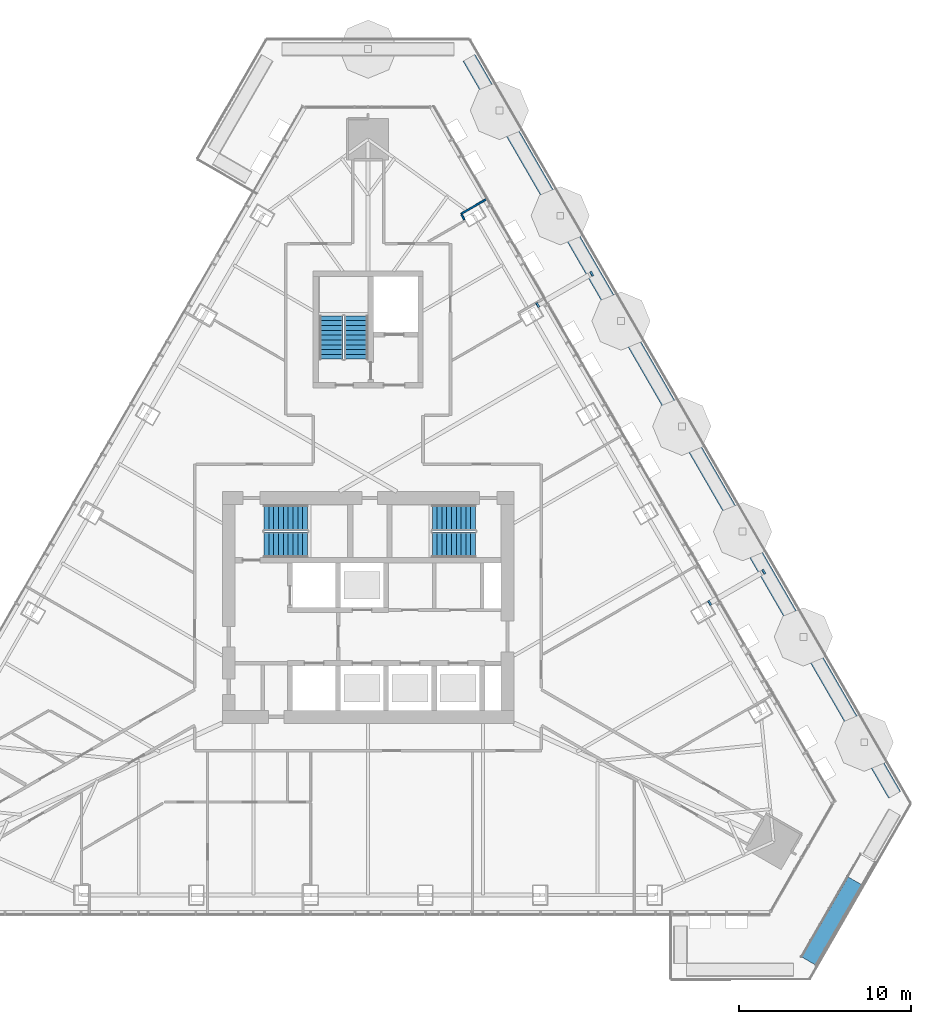
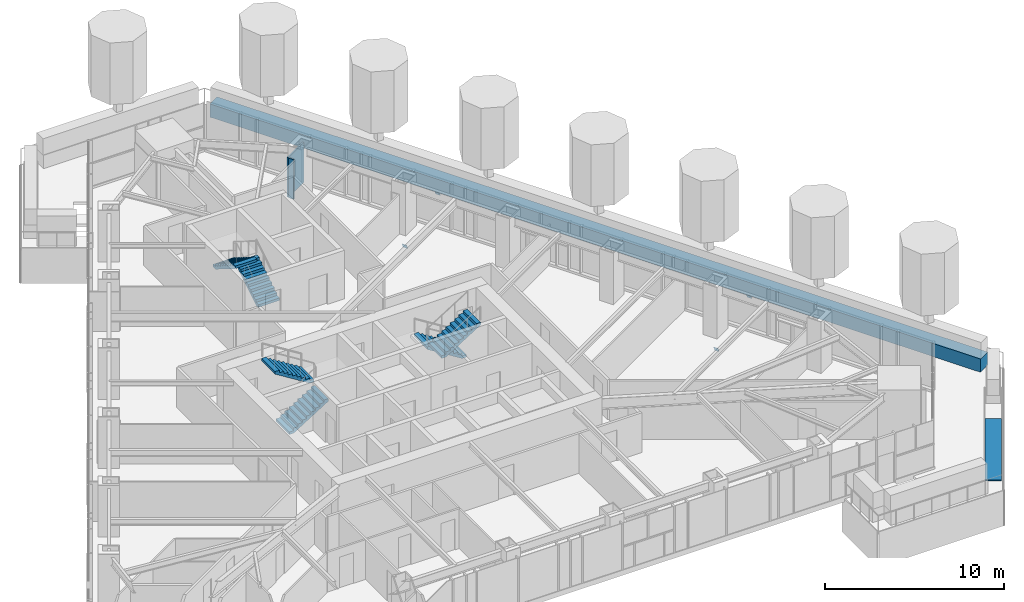
# One storey, part 21 of 24: 6 stair flights, 4 discrete accessories, 3 walls, 1 ramp flight, 4 elements without a shape of their own.
"""IFC4 building model written with IfcOpenShell, lengths in metres."""

from ifc_helpers import new_model, si_unit, direction, frame, frame_2d, origin, place, context, subcontext, project, spatial, polyline, rectangle, outline, extrude, material, layer, layer_set, type_object, element, aggregate, save


model = new_model("IFC4")

# Units and contexts
model_context = context("Model", 3, precision=1e-05, world=origin(), true_north=direction((0.0, 1.0)))
body_context = subcontext(model_context, "Body", "Model", "MODEL_VIEW")
ifc_project = project(units=[si_unit("LENGTHUNIT", "METRE"), si_unit("AREAUNIT", "SQUARE_METRE"), si_unit("VOLUMEUNIT", "CUBIC_METRE"), si_unit("PLANEANGLEUNIT", "RADIAN"), si_unit("MASSUNIT", "GRAM", prefix="KILO")], contexts=[model_context])

# Site, building, storey
site_placement = place(None, origin())
site = spatial("IfcSite", under=ifc_project, at=site_placement, CompositionType="ELEMENT")
building_placement = place(site_placement, origin())
building = spatial("IfcBuilding", under=site, at=building_placement, Name="Firuza Gate Tower and Library", CompositionType="ELEMENT")
storey_placement = place(building_placement, frame((0.0, 0.0, 267.10009765625)))
storey = spatial("IfcBuildingStorey", under=building, at=storey_placement, Name="L63", CompositionType="ELEMENT", Elevation=267.10009765625)

# Walls
ifc_material_1 = material(Name="Gypsum board partition")
ifc_layer_1 = layer(ifc_material_1, 0.10009765625)
ifc_layer_set_1 = layer_set([ifc_layer_1], Name="Partition 100 gypsum board on steel studs")
wall_type_1 = type_object("IfcWallType", Name="Partition 100 gypsum board on steel studs", PredefinedType="PARTITIONING", material=ifc_layer_set_1)
wall_1_placement = place(storey_placement, frame((80.41748046875, 97.939208984375, 0.0), z_axis=(0.0, 0.0, 1.0), x_axis=(0.866077946534, 0.499908982242, 0.0)))
element("IfcWall", 1, at=wall_1_placement, inside=storey, type_object=wall_type_1, Name="f:L63:w024", PredefinedType="PARTITIONING", context=body_context, shape_type="SweptSolid", body=[
    extrude(rectangle(XDim=1.699462890625, YDim=0.10009765625, at=frame_2d((0.849609375, 0.0))), origin(), (0.0, 0.0, 1.0), 2.699951171875),
])
wall_2_placement = place(storey_placement, frame((80.612548828125, 97.600830078125, 0.0), z_axis=(0.0, 0.0, 1.0), x_axis=(-0.499618727529, 0.866245419672, 0.0)))
element("IfcWall", 2, at=wall_2_placement, inside=storey, type_object=wall_type_1, Name="f:L63:w051", PredefinedType="PARTITIONING", context=body_context, shape_type="SweptSolid", body=[
    extrude(rectangle(XDim=0.339599609375, YDim=0.10009765625, at=frame_2d((0.169921875, 0.0))), origin(), (0.0, 0.0, 1.0), 2.699951171875),
])
ifc_material_2 = material(Name="Concrete C40/50", Category="concrete")
ifc_layer_2 = layer(ifc_material_2, 0.800048828125)
ifc_layer_set_2 = layer_set([ifc_layer_2], Name="Planter wall 800")
wall_type_2 = type_object("IfcWallType", Name="Planter wall 800", PredefinedType="SOLIDWALL", material=ifc_layer_set_2)
wall_3_placement = place(storey_placement, frame((105.681884765625, 64.0791015625, 0.0), z_axis=(0.0, 0.0, 1.0), x_axis=(-0.500001689899, 0.866024428119, 0.0)))
element("IfcWall", 3, at=wall_3_placement, inside=storey, type_object=wall_type_2, Name="PLANTER L63 4", PredefinedType="SOLIDWALL", context=body_context, shape_type="SweptSolid", body=[
    extrude(rectangle(XDim=49.597412109375, YDim=0.800048828125, at=frame_2d((24.798828125, 0.0))), origin(), (0.0, 0.0, 1.0), 0.89990234375),
])

# Stair, stair flights
ifc_material_3 = material(Name="Concrete C35/45", Category="concrete")
stair_type_1 = type_object("IfcStairType", Name="Exit stair ST17", PredefinedType="HALF_TURN_STAIR", material=ifc_material_3)
placement = place(storey_placement, origin())
stair_1 = element("IfcStair", 4, at=placement, inside=storey, type_object=stair_type_1, Name="L63 Stair ST3", PredefinedType="HALF_TURN_STAIR")
ifc_material_4 = material(Name="Concrete C35/45", Category="concrete")
stair_flight_type_1 = type_object("IfcStairFlightType", Name="Stair flight 10 risers 175 width 1370", PredefinedType="STRAIGHT", material=ifc_material_4)
stair_flight_1_placement = place(storey_placement, frame((74.31494140625, 89.469970703125, 0.0), z_axis=(0.0, 0.0, 1.0), x_axis=(0.0, 1.0, 0.0)))
stair_flight_1 = element("IfcStairFlight", 5, at=stair_flight_1_placement, type_object=stair_flight_type_1, Name="ST3 flight 1", NumberOfRisers=10, NumberOfTreads=9, PredefinedType="STRAIGHT", RiserHeight=0.175, TreadLength=0.28, context=body_context, shape_type="SweptSolid", body=[
    extrude(outline(polyline([(0.0, 0.0), (0.0, 0.175048828125), (0.280029296875, 0.175048828125), (0.280029296875, 0.35009765625), (0.56005859375, 0.35009765625), (0.56005859375, 0.52490234375), (0.840087890625, 0.52490234375), (0.840087890625, 0.699951171875), (1.1201171875, 0.699951171875), (1.1201171875, 0.875), (1.39990234375, 0.875), (1.39990234375, 1.050048828125), (1.679931640625, 1.050048828125), (1.679931640625, 1.22509765625), (1.9599609375, 1.22509765625), (1.9599609375, 1.39990234375), (2.239990234375, 1.39990234375), (2.239990234375, 1.574951171875), (2.52001953125, 1.574951171875), (2.52001953125, 1.75), (2.52001953125, 1.398193359375), (0.28271484375, 0.0), (0.0, 0.0)])), frame((0.0, 0.68505859375, 0.0), z_axis=(0.0, -1.0, 0.0), x_axis=(1.0, 0.0, 0.0)), (0.0, 0.0, 1.0), 1.3701171875),
])
stair_flight_2_placement = place(storey_placement, frame((72.844970703125, 91.989990234375, 1.75), z_axis=(0.0, 0.0, 1.0), x_axis=(0.0, -1.0, 0.0)))
stair_flight_2 = element("IfcStairFlight", 6, at=stair_flight_2_placement, type_object=stair_flight_type_1, Name="ST3 flight 2", NumberOfRisers=10, NumberOfTreads=9, PredefinedType="STRAIGHT", RiserHeight=0.175, TreadLength=0.28, context=body_context, shape_type="SweptSolid", body=[
    extrude(outline(polyline([(0.0, 0.0), (0.0, 0.175048828125), (0.280029296875, 0.175048828125), (0.280029296875, 0.35009765625), (0.56005859375, 0.35009765625), (0.56005859375, 0.52490234375), (0.840087890625, 0.52490234375), (0.840087890625, 0.699951171875), (1.1201171875, 0.699951171875), (1.1201171875, 0.875), (1.39990234375, 0.875), (1.39990234375, 1.050048828125), (1.679931640625, 1.050048828125), (1.679931640625, 1.22509765625), (1.9599609375, 1.22509765625), (1.9599609375, 1.39990234375), (2.239990234375, 1.39990234375), (2.239990234375, 1.574951171875), (2.52001953125, 1.574951171875), (2.52001953125, 1.75), (2.52001953125, 1.398193359375), (0.28271484375, 0.0), (0.0, 0.0)])), frame((0.0, 0.68505859375, 0.0), z_axis=(0.0, -1.0, 0.0), x_axis=(1.0, 0.0, 0.0)), (0.0, 0.0, 1.0), 1.3701171875),
])
aggregate(stair_1, [stair_flight_1, stair_flight_2])

ifc_material_5 = material(Name="Concrete C35/45", Category="concrete")
stair_type_2 = type_object("IfcStairType", Name="Exit stair ST8", PredefinedType="HALF_TURN_STAIR", material=ifc_material_5)
stair_2 = element("IfcStair", 7, at=placement, inside=storey, type_object=stair_type_2, Name="L63 Stair ST1", PredefinedType="HALF_TURN_STAIR")
ifc_material_6 = material(Name="Concrete C35/45", Category="concrete")
stair_flight_type_2 = type_object("IfcStairFlightType", Name="Stair flight 10 risers 175 width 1490", PredefinedType="STRAIGHT", material=ifc_material_6)
stair_flight_3_placement = place(storey_placement, frame((68.93994140625, 78.64501953125, 0.0), z_axis=(0.0, 0.0, 1.0), x_axis=(1.0, 0.0, 0.0)))
stair_flight_3 = element("IfcStairFlight", 8, at=stair_flight_3_placement, type_object=stair_flight_type_2, Name="ST1 flight 1", NumberOfRisers=10, NumberOfTreads=9, PredefinedType="STRAIGHT", RiserHeight=0.175, TreadLength=0.28, context=body_context, shape_type="SweptSolid", body=[
    extrude(outline(polyline([(0.0, 0.0), (0.0, 0.175048828125), (0.280029296875, 0.175048828125), (0.280029296875, 0.35009765625), (0.56005859375, 0.35009765625), (0.56005859375, 0.52490234375), (0.840087890625, 0.52490234375), (0.840087890625, 0.699951171875), (1.1201171875, 0.699951171875), (1.1201171875, 0.875), (1.39990234375, 0.875), (1.39990234375, 1.050048828125), (1.679931640625, 1.050048828125), (1.679931640625, 1.22509765625), (1.9599609375, 1.22509765625), (1.9599609375, 1.39990234375), (2.239990234375, 1.39990234375), (2.239990234375, 1.574951171875), (2.52001953125, 1.574951171875), (2.52001953125, 1.75), (2.52001953125, 1.398193359375), (0.28271484375, 0.0), (0.0, 0.0)])), frame((0.0, 0.7451171875, 0.0), z_axis=(0.0, -1.0, 0.0), x_axis=(1.0, 0.0, 0.0)), (0.0, 0.0, 1.0), 1.489990234375),
])
stair_flight_4_placement = place(storey_placement, frame((71.4599609375, 80.235107421875, 1.75), z_axis=(0.0, 0.0, 1.0), x_axis=(-1.0, 0.0, 0.0)))
stair_flight_4 = element("IfcStairFlight", 9, at=stair_flight_4_placement, type_object=stair_flight_type_2, Name="ST1 flight 2", NumberOfRisers=10, NumberOfTreads=9, PredefinedType="STRAIGHT", RiserHeight=0.175, TreadLength=0.28, context=body_context, shape_type="SweptSolid", body=[
    extrude(outline(polyline([(0.0, 0.0), (0.0, 0.175048828125), (0.280029296875, 0.175048828125), (0.280029296875, 0.35009765625), (0.56005859375, 0.35009765625), (0.56005859375, 0.52490234375), (0.840087890625, 0.52490234375), (0.840087890625, 0.699951171875), (1.1201171875, 0.699951171875), (1.1201171875, 0.875), (1.39990234375, 0.875), (1.39990234375, 1.050048828125), (1.679931640625, 1.050048828125), (1.679931640625, 1.22509765625), (1.9599609375, 1.22509765625), (1.9599609375, 1.39990234375), (2.239990234375, 1.39990234375), (2.239990234375, 1.574951171875), (2.52001953125, 1.574951171875), (2.52001953125, 1.75), (2.52001953125, 1.398193359375), (0.28271484375, 0.0), (0.0, 0.0)])), frame((0.0, 0.7451171875, 0.0), z_axis=(0.0, -1.0, 0.0), x_axis=(1.0, 0.0, 0.0)), (0.0, 0.0, 1.0), 1.489990234375),
])
aggregate(stair_2, [stair_flight_3, stair_flight_4])

stair_3 = element("IfcStair", 10, at=placement, inside=storey, type_object=stair_type_2, Name="L63 Stair ST2", PredefinedType="HALF_TURN_STAIR")
stair_flight_5_placement = place(storey_placement, frame((81.260009765625, 80.235107421875, 0.0), z_axis=(0.0, 0.0, 1.0), x_axis=(-1.0, 0.0, 0.0)))
stair_flight_5 = element("IfcStairFlight", 11, at=stair_flight_5_placement, type_object=stair_flight_type_2, Name="ST2 flight 1", NumberOfRisers=10, NumberOfTreads=9, PredefinedType="STRAIGHT", RiserHeight=0.175, TreadLength=0.28, context=body_context, shape_type="SweptSolid", body=[
    extrude(outline(polyline([(0.0, 0.0), (0.0, 0.175048828125), (0.280029296875, 0.175048828125), (0.280029296875, 0.35009765625), (0.56005859375, 0.35009765625), (0.56005859375, 0.52490234375), (0.840087890625, 0.52490234375), (0.840087890625, 0.699951171875), (1.1201171875, 0.699951171875), (1.1201171875, 0.875), (1.39990234375, 0.875), (1.39990234375, 1.050048828125), (1.679931640625, 1.050048828125), (1.679931640625, 1.22509765625), (1.9599609375, 1.22509765625), (1.9599609375, 1.39990234375), (2.239990234375, 1.39990234375), (2.239990234375, 1.574951171875), (2.52001953125, 1.574951171875), (2.52001953125, 1.75), (2.52001953125, 1.398193359375), (0.28271484375, 0.0), (0.0, 0.0)])), frame((0.0, 0.7451171875, 0.0), z_axis=(0.0, -1.0, 0.0), x_axis=(1.0, 0.0, 0.0)), (0.0, 0.0, 1.0), 1.489990234375),
])
stair_flight_6_placement = place(storey_placement, frame((78.739990234375, 78.64501953125, 1.75), z_axis=(0.0, 0.0, 1.0), x_axis=(1.0, 0.0, 0.0)))
stair_flight_6 = element("IfcStairFlight", 12, at=stair_flight_6_placement, type_object=stair_flight_type_2, Name="ST2 flight 2", NumberOfRisers=10, NumberOfTreads=9, PredefinedType="STRAIGHT", RiserHeight=0.175, TreadLength=0.28, context=body_context, shape_type="SweptSolid", body=[
    extrude(outline(polyline([(0.0, 0.0), (0.0, 0.175048828125), (0.280029296875, 0.175048828125), (0.280029296875, 0.35009765625), (0.56005859375, 0.35009765625), (0.56005859375, 0.52490234375), (0.840087890625, 0.52490234375), (0.840087890625, 0.699951171875), (1.1201171875, 0.699951171875), (1.1201171875, 0.875), (1.39990234375, 0.875), (1.39990234375, 1.050048828125), (1.679931640625, 1.050048828125), (1.679931640625, 1.22509765625), (1.9599609375, 1.22509765625), (1.9599609375, 1.39990234375), (2.239990234375, 1.39990234375), (2.239990234375, 1.574951171875), (2.52001953125, 1.574951171875), (2.52001953125, 1.75), (2.52001953125, 1.398193359375), (0.28271484375, 0.0), (0.0, 0.0)])), frame((0.0, 0.7451171875, 0.0), z_axis=(0.0, -1.0, 0.0), x_axis=(1.0, 0.0, 0.0)), (0.0, 0.0, 1.0), 1.489990234375),
])
aggregate(stair_3, [stair_flight_5, stair_flight_6])

# Ramp, ramp flight
ifc_material_7 = material(Name="Concrete C40/50", Category="concrete")
ifc_layer_3 = layer(ifc_material_7, 0.050048828125)
ifc_layer_set_3 = layer_set([ifc_layer_3], Name="Garden ramp")
ramp_type = type_object("IfcRampType", Name="Garden ramp", PredefinedType="STRAIGHT_RUN_RAMP", material=ifc_layer_set_3)
ramp = element("IfcRamp", 13, at=placement, inside=storey, type_object=ramp_type, Name="Garden ramp 7", PredefinedType="STRAIGHT_RUN_RAMP")
ifc_material_8 = material(Name="Concrete C40/50", Category="concrete")
ifc_layer_4 = layer(ifc_material_8, 0.050048828125)
ifc_layer_set_4 = layer_set([ifc_layer_4], Name="Garden ramp flight")
ramp_flight_type = type_object("IfcRampFlightType", Name="Garden ramp flight", PredefinedType="STRAIGHT", material=ifc_layer_set_4)
ramp_flight_placement = place(storey_placement, frame((100.67236328125, 54.3935546875, -0.000244140625), z_axis=(0.0, 0.0, 1.0), x_axis=(0.500029011134, 0.866008653551, 0.0)))
ramp_flight = element("IfcRampFlight", 14, at=ramp_flight_placement, type_object=ramp_flight_type, Name="Garden ramp 7 flight", PredefinedType="STRAIGHT", context=body_context, shape_type="SweptSolid", body=[
    extrude(outline(polyline([(0.0, 0.050048828125), (5.400146484375, 0.4501953125), (5.400146484375, 0.400146484375), (0.0, 0.0), (0.0, 0.050048828125)])), frame((0.0, 0.449951171875, 0.0), z_axis=(0.0, -1.0, 0.0), x_axis=(1.0, 0.0, 0.0)), (0.0, 0.0, 1.0), 0.89990234375),
])
aggregate(ramp, [ramp_flight])

# Discrete accessories
ifc_material_9 = material(Name="Steel S355", Category="steel")
ifc_layer_5 = layer(ifc_material_9, 0.02001953125)
ifc_layer_set_5 = layer_set([ifc_layer_5], Name="Strut seat plate 304x304x20 Steel S355")
discrete_accessory_type = type_object("IfcDiscreteAccessoryType", Name="Strut seat plate 304x304x20 Steel S355", PredefinedType="BRACKET", material=ifc_layer_set_5)
discrete_accessory_1_placement = place(storey_placement, frame((94.787353515625, 75.371337890625, -1.53564453125), z_axis=(0.807236862691, 0.465771176803, 0.362527045021), x_axis=(0.499768824934, -0.866158831638, 0.0)))
element("IfcDiscreteAccessory", 15, at=discrete_accessory_1_placement, inside=storey, type_object=discrete_accessory_type, Name="Strut seat plate L63 col:L62:E2", PredefinedType="BRACKET", context=body_context, shape_type="SweptSolid", body=[
    extrude(outline(polyline([(0.0, 0.0), (0.30385142324571607, -6.938893903907228e-18), (0.3037678574739876, 0.3041366961441935), (-8.356577172844576e-05, 0.3041366961441935), (0.0, 0.0)])), origin(), (0.0, 0.0, -1.0), 0.02001953125),
])
discrete_accessory_2_placement = place(storey_placement, frame((98.08935546875, 76.9267578125, -0.12109375), z_axis=(0.806912615133, 0.466332615239, 0.36252713485), x_axis=(-0.500371262739, 0.865810949009, 0.0)))
element("IfcDiscreteAccessory", 16, at=discrete_accessory_2_placement, inside=storey, type_object=discrete_accessory_type, Name="Strut seat plate L63 col:L62:E2", PredefinedType="BRACKET", context=body_context, shape_type="SweptSolid", body=[
    extrude(outline(polyline([(0.0, 0.0), (0.3039735106735333, 0.0), (0.30398037364841063, -0.30413670754718714), (6.862974877369643e-06, -0.30413670754718714), (0.0, 0.0)])), origin(), (0.0, 0.0, -1.0), 0.02001953125),
])
discrete_accessory_3_placement = place(storey_placement, frame((84.763427734375, 92.7333984375, -1.53564453125), z_axis=(0.807176415657, 0.466110685294, 0.362225155203), x_axis=(0.500030600633, -0.866007727814, 0.00011746159)))
element("IfcDiscreteAccessory", 17, at=discrete_accessory_3_placement, inside=storey, type_object=discrete_accessory_type, Name="Strut seat plate L63 col:L62:E5", PredefinedType="BRACKET", context=body_context, shape_type="SweptSolid", body=[
    extrude(outline(polyline([(0.0, 0.0), (0.30385140726979953, 0.0), (0.3037678734455112, 0.3041366801920383), (-0.00020561160764612108, 0.30406008240548643), (0.0, 0.0)])), origin(), (0.0, 0.0, -1.0), 0.02001953125),
])
discrete_accessory_4_placement = place(storey_placement, frame((88.065185546875, 94.288818359375, -0.12109375), z_axis=(0.807389027558, 0.465642999667, 0.362352804651), x_axis=(-0.499572155029, 0.866272276673, -6.7737836e-05)))
element("IfcDiscreteAccessory", 18, at=discrete_accessory_4_placement, inside=storey, type_object=discrete_accessory_type, Name="Strut seat plate L63 col:L62:E5", PredefinedType="BRACKET", context=body_context, shape_type="SweptSolid", body=[
    extrude(outline(polyline([(0.0, 0.0), (0.3040629069720726, 0.0), (0.3039792139210128, -0.30409249414364486), (0.0001277992039872251, -0.3041366754621787), (0.0, 0.0)])), origin(), (0.0, 0.0, -1.0), 0.02001953125),
])

save(model, "model.ifc")
